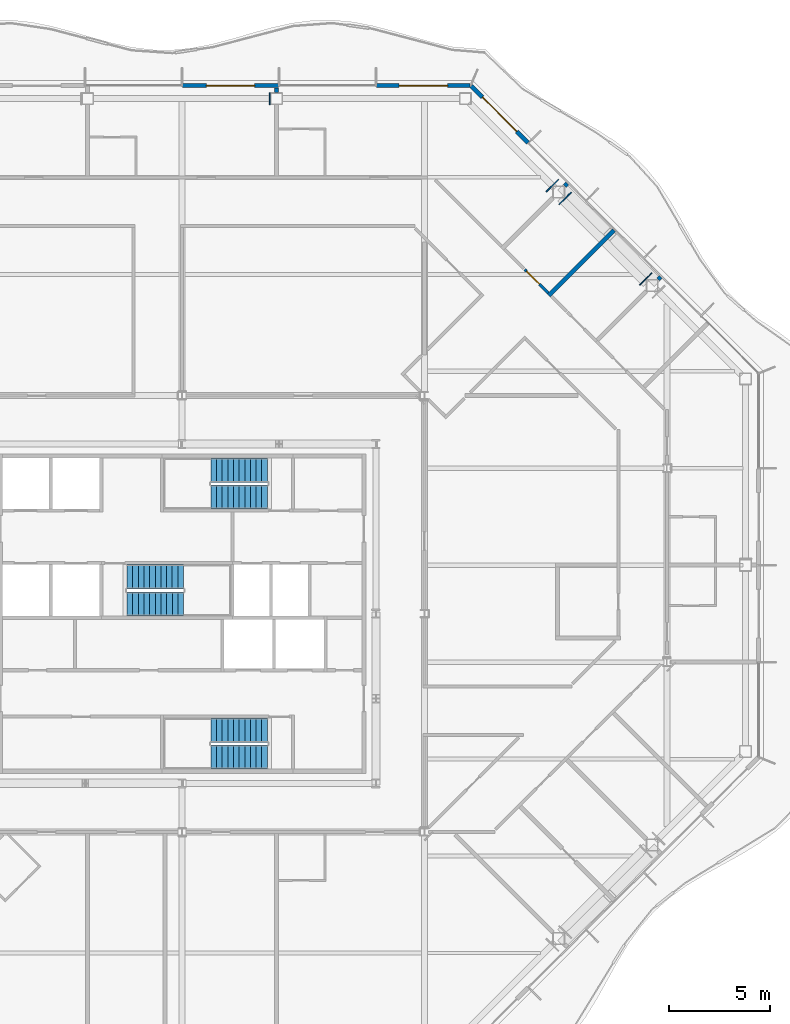
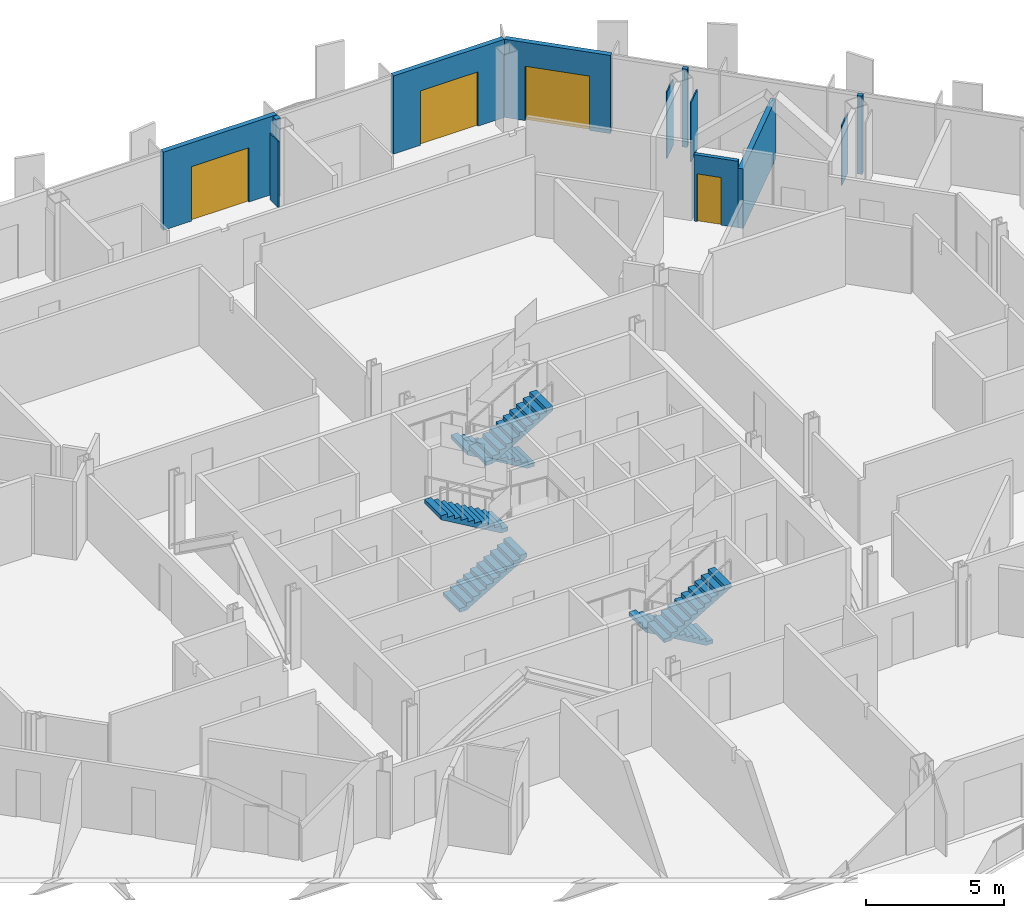
# One storey, part 14 of 21: 12 walls, 6 stair flights, 4 doors, 4 openings, 3 elements without a shape of their own.
"""IFC4 building model written with IfcOpenShell, lengths in metres."""

from ifc_helpers import new_model, si_unit, direction, frame, frame_2d, origin, place, context, subcontext, project, spatial, polyline, rectangle, outline, extrude, material, layer, layer_set, type_object, element, fill, aggregate, save


model = new_model("IFC4")

# Units and contexts
model_context = context("Model", 3, precision=1e-05, world=origin(), true_north=direction((0.0, 1.0)))
body_context = subcontext(model_context, "Body", "Model", "MODEL_VIEW")
ifc_project = project(units=[si_unit("LENGTHUNIT", "METRE"), si_unit("AREAUNIT", "SQUARE_METRE"), si_unit("VOLUMEUNIT", "CUBIC_METRE"), si_unit("PLANEANGLEUNIT", "RADIAN"), si_unit("MASSUNIT", "GRAM", prefix="KILO")], contexts=[model_context])

# Site, building, storey
site_placement = place(None, origin())
site = spatial("IfcSite", under=ifc_project, at=site_placement, CompositionType="ELEMENT")
building_placement = place(site_placement, origin())
building = spatial("IfcBuilding", under=site, at=building_placement, Name="Cairn Pilgrim Tower", CompositionType="ELEMENT")
storey_placement = place(building_placement, frame((0.0, 0.0, 168.60009765625)))
storey = spatial("IfcBuildingStorey", under=building, at=storey_placement, Name="L42", CompositionType="ELEMENT", Elevation=168.60009765625)

# Wall, opening, door
ifc_material_1 = material(Name="Bronze anodised aluminium insulated sandwich panel with mineral wool fill", Category="aluminium")
ifc_layer_1 = layer(ifc_material_1, 0.199951171875)
ifc_layer_set_1 = layer_set([ifc_layer_1], Name="BRONZE INFILL FRAME WALL 200")
wall_type_1 = type_object("IfcWallType", Name="BRONZE INFILL FRAME WALL 200", PredefinedType="NOTDEFINED", material=ifc_layer_set_1)
wall_1_placement = place(storey_placement, frame((24.325927734375, 25.720458984375, 0.0), z_axis=(0.0, 0.0, 1.0), x_axis=(-0.707106781187, 0.707106781187, 0.0)))
wall_1 = element("IfcWall", 1, at=wall_1_placement, inside=storey, type_object=wall_type_1, Name="Bronze infill frame wall IW-NE5", PredefinedType="NOTDEFINED", context=body_context, shape_type="SweptSolid", body=[
    extrude(rectangle(XDim=3.961669921875, YDim=0.199951171875, at=frame_2d((1.98095703125, 0.0))), origin(), (0.0, 0.0, 1.0), 3.449951171875),
])
opening_1_placement = place(wall_1_placement, frame((0.78564453125, 0.0, 0.0)))
opening_1 = element("IfcOpeningElement", 2, at=opening_1_placement, cuts=wall_1, Name="Opening 4212B", PredefinedType="OPENING", context=body_context, shape_type="SweptSolid", body=[
    extrude(rectangle(XDim=2.39990234375, YDim=2.39990234375, at=frame_2d((1.199951171875, 1.199951171875))), frame((0.0, 0.10986328125, 0.0), z_axis=(0.0, -1.0, 0.0), x_axis=(1.0, 0.0, 0.0)), (0.0, 0.0, 1.0), 0.219970703125),
])
ifc_material_2 = material(Name="Bronze anodised aluminium frame with tinted low-E glass", Category="aluminium")
door_type_1 = type_object("IfcDoorType", Name="BALCONY SLIDING DOOR 2400x2400", OperationType="DOUBLE_DOOR_SLIDING", PredefinedType="DOOR", material=ifc_material_2)
door_1_placement = place(opening_1_placement, origin())
door_1 = element("IfcDoor", 3, at=door_1_placement, inside=storey, type_object=door_type_1, Name="Balcony sliding door 4212B", OperationType="SINGLE_SWING_LEFT", OverallHeight=2.39990234375, OverallWidth=2.39990234375, PredefinedType="DOOR", context=body_context, shape_type="SweptSolid", body=[
    extrude(rectangle(XDim=2.39990234375, YDim=2.39990234375, at=frame_2d((1.199951171875, 1.199951171875))), frame((0.0, 0.02490234375, 0.0), z_axis=(0.0, -1.0, 0.0), x_axis=(1.0, 0.0, 0.0)), (0.0, 0.0, 1.0), 0.050048828125),
])
fill(opening_1, door_1)

wall_2_placement = place(storey_placement, frame((21.45654296875, 28.550048828125, 0.0), z_axis=(0.0, 0.0, 1.0), x_axis=(-1.0, 0.0, 0.0)))
wall_2 = element("IfcWall", 4, at=wall_2_placement, inside=storey, type_object=wall_type_1, Name="Bronze infill frame wall IW-N1", PredefinedType="NOTDEFINED", context=body_context, shape_type="SweptSolid", body=[
    extrude(rectangle(XDim=4.62646484375, YDim=0.199951171875, at=frame_2d((2.313232421875, 0.0))), origin(), (0.0, 0.0, 1.0), 3.449951171875),
])
opening_2_placement = place(wall_2_placement, frame((1.1083984375, 0.0, 0.0)))
opening_2 = element("IfcOpeningElement", 5, at=opening_2_placement, cuts=wall_2, Name="Opening 4212B2", PredefinedType="OPENING", context=body_context, shape_type="SweptSolid", body=[
    extrude(rectangle(XDim=2.39990234375, YDim=2.39990234375, at=frame_2d((1.199951171875, 1.199951171875))), frame((0.0, 0.10986328125, 0.0), z_axis=(0.0, -1.0, 0.0), x_axis=(1.0, 0.0, 0.0)), (0.0, 0.0, 1.0), 0.219970703125),
])
door_2_placement = place(opening_2_placement, origin())
door_2 = element("IfcDoor", 6, at=door_2_placement, inside=storey, type_object=door_type_1, Name="Balcony sliding door 4212B2", OperationType="SINGLE_SWING_LEFT", OverallHeight=2.39990234375, OverallWidth=2.39990234375, PredefinedType="DOOR", context=body_context, shape_type="SweptSolid", body=[
    extrude(rectangle(XDim=2.39990234375, YDim=2.39990234375, at=frame_2d((1.199951171875, 1.199951171875))), frame((0.0, 0.02490234375, 0.0), z_axis=(0.0, -1.0, 0.0), x_axis=(1.0, 0.0, 0.0)), (0.0, 0.0, 1.0), 0.050048828125),
])
fill(opening_2, door_2)

wall_3_placement = place(storey_placement, frame((11.969970703125, 28.550048828125, 0.0), z_axis=(0.0, 0.0, 1.0), x_axis=(-1.0, 0.0, 0.0)))
wall_3 = element("IfcWall", 7, at=wall_3_placement, inside=storey, type_object=wall_type_1, Name="Bronze infill frame wall IW-N3", PredefinedType="NOTDEFINED", context=body_context, shape_type="SweptSolid", body=[
    extrude(rectangle(XDim=4.739990234375, YDim=0.199951171875, at=frame_2d((2.3701171875, 0.0))), origin(), (0.0, 0.0, 1.0), 3.449951171875),
])
opening_3_placement = place(wall_3_placement, frame((1.17041015625, 0.0, 0.0)))
opening_3 = element("IfcOpeningElement", 8, at=opening_3_placement, cuts=wall_3, Name="Opening 4213B", PredefinedType="OPENING", context=body_context, shape_type="SweptSolid", body=[
    extrude(rectangle(XDim=2.39990234375, YDim=2.39990234375, at=frame_2d((1.199951171875, 1.199951171875))), frame((0.0, 0.10986328125, 0.0), z_axis=(0.0, -1.0, 0.0), x_axis=(1.0, 0.0, 0.0)), (0.0, 0.0, 1.0), 0.219970703125),
])
door_3_placement = place(opening_3_placement, origin())
door_3 = element("IfcDoor", 9, at=door_3_placement, inside=storey, type_object=door_type_1, Name="Balcony sliding door 4213B", OperationType="SINGLE_SWING_LEFT", OverallHeight=2.39990234375, OverallWidth=2.39990234375, PredefinedType="DOOR", context=body_context, shape_type="SweptSolid", body=[
    extrude(rectangle(XDim=2.39990234375, YDim=2.39990234375, at=frame_2d((1.199951171875, 1.199951171875))), frame((0.0, 0.02490234375, 0.0), z_axis=(0.0, -1.0, 0.0), x_axis=(1.0, 0.0, 0.0)), (0.0, 0.0, 1.0), 0.050048828125),
])
fill(opening_3, door_3)

ifc_material_3 = material(Name="Gypsum partition")
ifc_layer_2 = layer(ifc_material_3, 0.14990234375)
ifc_layer_set_2 = layer_set([ifc_layer_2], Name="PARTITION 150 DRYWALL EI 60")
wall_type_2 = type_object("IfcWallType", Name="PARTITION 150 DRYWALL EI 60", PredefinedType="PARTITIONING", material=ifc_layer_set_2)
wall_4_placement = place(storey_placement, frame((25.335205078125, 18.276611328125, 0.0), z_axis=(0.0, 0.0, 1.0), x_axis=(-0.707254881879, 0.706958649468, 0.0)))
wall_4 = element("IfcWall", 10, at=wall_4_placement, inside=storey, type_object=wall_type_2, Name="PARTITION W105", PredefinedType="PARTITIONING", context=body_context, shape_type="SweptSolid", body=[
    extrude(rectangle(XDim=1.648193359375, YDim=0.14990234375, at=frame_2d((0.82421875, 0.0))), origin(), (0.0, 0.0, 1.0), 2.929931640625),
])
opening_4_placement = place(wall_4_placement, frame((0.624267578125, 0.0, 0.0)))
opening_4 = element("IfcOpeningElement", 11, at=opening_4_placement, cuts=wall_4, Name="Opening 4211", PredefinedType="OPENING", context=body_context, shape_type="SweptSolid", body=[
    extrude(rectangle(XDim=0.89990234375, YDim=2.10009765625, at=frame_2d((0.449951171875, 1.050048828125))), frame((0.0, 0.0849609375, 0.0), z_axis=(0.0, -1.0, 0.0), x_axis=(1.0, 0.0, 0.0)), (0.0, 0.0, 1.0), 0.169921875),
])
ifc_material_4 = material(Name="Timber door leaf", Category="wood")
door_type_2 = type_object("IfcDoorType", Name="SERVICE DOOR 900x2100 FD30S", OperationType="NOTDEFINED", PredefinedType="DOOR", material=ifc_material_4)
door_4_placement = place(opening_4_placement, frame((0.89990234375, 0.0, 0.0), z_axis=(0.0, 0.0, 1.0), x_axis=(-1.0, 0.0, 0.0)))
door_4 = element("IfcDoor", 12, at=door_4_placement, inside=storey, type_object=door_type_2, Name="DOOR 4211", OperationType="SINGLE_SWING_LEFT", OverallHeight=2.10009765625, OverallWidth=0.89990234375, PredefinedType="DOOR", context=body_context, shape_type="SweptSolid", body=[
    extrude(rectangle(XDim=0.89990234375, YDim=2.10009765625, at=frame_2d((0.449951171875, 1.050048828125))), frame((0.0, 0.02490234375, 0.0), z_axis=(0.0, -1.0, 0.0), x_axis=(1.0, 0.0, 0.0)), (0.0, 0.0, 1.0), 0.050048828125),
])
fill(opening_4, door_4)

# Walls
ifc_layer_3 = layer(ifc_material_3, 0.050048828125)
ifc_layer_set_3 = layer_set([ifc_layer_3], Name="PARTITION 50 DRYWALL EI 60")
wall_type_3 = type_object("IfcWallType", Name="PARTITION 50 DRYWALL EI 60", PredefinedType="PARTITIONING", material=ifc_layer_set_3)
wall_5_placement = place(storey_placement, frame((29.85791015625, 18.669189453125, 0.0), z_axis=(0.0, 0.0, 1.0), x_axis=(0.707106781187, 0.707106781187, 0.0)))
element("IfcWall", 13, at=wall_5_placement, inside=storey, type_object=wall_type_3, Name="COLUMN CASING WC33", PredefinedType="PARTITIONING", context=body_context, shape_type="SweptSolid", body=[
    extrude(rectangle(XDim=0.8486328125, YDim=0.050048828125, at=frame_2d((0.42431640625, 0.0))), origin(), (0.0, 0.0, 1.0), 2.6298828125),
])
wall_6_placement = place(storey_placement, frame((25.23388671875, 23.29345703125, 0.0), z_axis=(0.0, 0.0, 1.0), x_axis=(0.707106781187, 0.707106781187, 0.0)))
element("IfcWall", 14, at=wall_6_placement, inside=storey, type_object=wall_type_3, Name="COLUMN CASING WC38", PredefinedType="PARTITIONING", context=body_context, shape_type="SweptSolid", body=[
    extrude(rectangle(XDim=0.848388671875, YDim=0.050048828125, at=frame_2d((0.42431640625, 0.0))), origin(), (0.0, 0.0, 1.0), 2.929931640625),
])
wall_7_placement = place(storey_placement, frame((25.869140625, 22.657958984375, 0.0), z_axis=(0.0, 0.0, 1.0), x_axis=(0.707106781187, 0.707106781187, 0.0)))
element("IfcWall", 15, at=wall_7_placement, inside=storey, type_object=wall_type_3, Name="COLUMN CASING WC39", PredefinedType="PARTITIONING", context=body_context, shape_type="SweptSolid", body=[
    extrude(rectangle(XDim=0.8486328125, YDim=0.050048828125, at=frame_2d((0.42431640625, 0.0))), origin(), (0.0, 0.0, 1.0), 2.6298828125),
])
wall_8_placement = place(storey_placement, frame((11.55078125, 27.60009765625, 0.0), z_axis=(0.0, 0.0, 1.0), x_axis=(0.0, 1.0, 0.0)))
element("IfcWall", 16, at=wall_8_placement, inside=storey, type_object=wall_type_3, Name="COLUMN CASING WC41", PredefinedType="PARTITIONING", context=body_context, shape_type="SweptSolid", body=[
    extrude(rectangle(XDim=0.599853515625, YDim=0.050048828125, at=frame_2d((0.2998046875, 0.0))), origin(), (0.0, 0.0, 1.0), 2.929931640625),
])
ifc_layer_4 = layer(ifc_material_3, 0.199951171875)
ifc_layer_set_4 = layer_set([ifc_layer_4], Name="SHAFT WALL 200 GYPSUM EI 60")
wall_type_4 = type_object("IfcWallType", Name="SHAFT WALL 200 GYPSUM EI 60", PredefinedType="PARTITIONING", material=ifc_layer_set_4)
wall_9_placement = place(storey_placement, frame((25.35302734375, 18.153076171875, 0.0), z_axis=(0.0, 0.0, 1.0), x_axis=(0.707106781187, 0.707106781187, 0.0)))
element("IfcWall", 17, at=wall_9_placement, inside=storey, type_object=wall_type_4, Name="PARTITION W104", PredefinedType="PARTITIONING", context=body_context, shape_type="SweptSolid", body=[
    extrude(rectangle(XDim=4.564697265625, YDim=0.199951171875, at=frame_2d((2.2822265625, 0.0))), origin(), (0.0, 0.0, 1.0), 2.6298828125),
])
for number, where, z_axis, x_axis, name in (
    (18, (30.775634765625, 18.95166015625, 0.0), (0.0, 0.0, 1.0), (0.707106781187, 0.707106781187, 0.0), "PARTITION W107"),
    (19, (26.151611328125, 23.57568359375, 0.0), (0.0, 0.0, 1.0), (0.707106781187, 0.707106781187, 0.0), "PARTITION W119"),
):
    element("IfcWall", number, at=place(storey_placement, frame(where, z_axis=z_axis, x_axis=x_axis)), inside=storey, type_object=wall_type_4, Name=name, PredefinedType="PARTITIONING", context=body_context, shape_type="SweptSolid", body=[
        extrude(rectangle(XDim=0.165771484375, YDim=0.199951171875, at=frame_2d((0.0830078125, 0.0))), origin(), (0.0, 0.0, 1.0), 3.449951171875),
    ])
wall_10_placement = place(storey_placement, frame((11.8759765625, 28.199951171875, 0.0), z_axis=(0.0, 0.0, 1.0), x_axis=(0.0, 1.0, 0.0)))
element("IfcWall", 20, at=wall_10_placement, inside=storey, type_object=wall_type_4, Name="PARTITION W131", PredefinedType="PARTITIONING", context=body_context, shape_type="SweptSolid", body=[
    extrude(rectangle(XDim=0.219970703125, YDim=0.199951171875, at=frame_2d((0.10986328125, 0.0))), origin(), (0.0, 0.0, 1.0), 3.449951171875),
])

# Stair, stair flights
ifc_material_5 = material(Name="Concrete C32/40", Category="concrete")
stair_type = type_object("IfcStairType", Name="EXIT STAIR 1200", PredefinedType="HALF_TURN_STAIR", material=ifc_material_5)
stair_1_placement = place(storey_placement, origin())
stair_1 = element("IfcStair", 21, at=stair_1_placement, inside=storey, type_object=stair_type, Name="L42 Exit Stair A", PredefinedType="HALF_TURN_STAIR")
stair_flight_type = type_object("IfcStairFlightType", Name="STAIR FLIGHT 1200", PredefinedType="STRAIGHT", material=ifc_material_5)
stair_flight_1_placement = place(storey_placement, frame((11.425048828125, -3.375, 0.0), z_axis=(0.0, 0.0, 1.0), x_axis=(-1.0, 0.0, 0.0)))
stair_flight_1 = element("IfcStairFlight", 22, at=stair_flight_1_placement, type_object=stair_flight_type, Name="ST-A flight 1", NumberOfRisers=11, NumberOfTreads=10, PredefinedType="STRAIGHT", RiserHeight=0.163636364, TreadLength=0.28, context=body_context, shape_type="SweptSolid", body=[
    extrude(outline(polyline([(0.0, 0.0), (0.0, 0.16357421875), (0.280029296875, 0.16357421875), (0.280029296875, 0.327392578125), (0.56005859375, 0.327392578125), (0.56005859375, 0.490966796875), (0.840087890625, 0.490966796875), (0.840087890625, 0.654541015625), (1.1201171875, 0.654541015625), (1.1201171875, 0.818115234375), (1.39990234375, 0.818115234375), (1.39990234375, 0.98193359375), (1.679931640625, 0.98193359375), (1.679931640625, 1.1455078125), (1.9599609375, 1.1455078125), (1.9599609375, 1.30908203125), (2.239990234375, 1.30908203125), (2.239990234375, 1.47265625), (2.52001953125, 1.47265625), (2.52001953125, 1.636474609375), (2.800048828125, 1.636474609375), (2.800048828125, 1.800048828125), (2.800048828125, 1.462646484375), (0.297119140625, 0.0), (0.0, 0.0)])), frame((0.0, 0.60009765625, 0.0), z_axis=(0.0, -1.0, 0.0), x_axis=(1.0, 0.0, 0.0)), (0.0, 0.0, 1.0), 1.199951171875),
])
stair_flight_2_placement = place(storey_placement, frame((8.625, -4.699951171875, 1.7998046875), z_axis=(0.0, 0.0, 1.0), x_axis=(1.0, 0.0, 0.0)))
stair_flight_2 = element("IfcStairFlight", 23, at=stair_flight_2_placement, type_object=stair_flight_type, Name="ST-A flight 2", NumberOfRisers=11, NumberOfTreads=10, PredefinedType="STRAIGHT", RiserHeight=0.163636364, TreadLength=0.28, context=body_context, shape_type="SweptSolid", body=[
    extrude(outline(polyline([(0.0, 0.0), (0.0, 0.16357421875), (0.280029296875, 0.16357421875), (0.280029296875, 0.327392578125), (0.56005859375, 0.327392578125), (0.56005859375, 0.490966796875), (0.840087890625, 0.490966796875), (0.840087890625, 0.654541015625), (1.1201171875, 0.654541015625), (1.1201171875, 0.818115234375), (1.39990234375, 0.818115234375), (1.39990234375, 0.98193359375), (1.679931640625, 0.98193359375), (1.679931640625, 1.1455078125), (1.9599609375, 1.1455078125), (1.9599609375, 1.30908203125), (2.239990234375, 1.30908203125), (2.239990234375, 1.47265625), (2.52001953125, 1.47265625), (2.52001953125, 1.636474609375), (2.800048828125, 1.636474609375), (2.800048828125, 1.800048828125), (2.800048828125, 1.462646484375), (0.297119140625, 0.0), (0.0, 0.0)])), frame((0.0, 0.60009765625, 0.0), z_axis=(0.0, -1.0, 0.0), x_axis=(1.0, 0.0, 0.0)), (0.0, 0.0, 1.0), 1.199951171875),
])
aggregate(stair_1, [stair_flight_1, stair_flight_2])

stair_2_placement = place(storey_placement, origin())
stair_2 = element("IfcStair", 24, at=stair_2_placement, inside=storey, type_object=stair_type, Name="L42 Exit Stair B", PredefinedType="HALF_TURN_STAIR")
stair_flight_3_placement = place(storey_placement, frame((4.47509765625, 2.875, 0.0), z_axis=(0.0, 0.0, 1.0), x_axis=(1.0, 0.0, 0.0)))
stair_flight_3 = element("IfcStairFlight", 25, at=stair_flight_3_placement, type_object=stair_flight_type, Name="ST-B flight 1", NumberOfRisers=11, NumberOfTreads=10, PredefinedType="STRAIGHT", RiserHeight=0.163636364, TreadLength=0.28, context=body_context, shape_type="SweptSolid", body=[
    extrude(outline(polyline([(0.0, 0.0), (0.0, 0.16357421875), (0.280029296875, 0.16357421875), (0.280029296875, 0.327392578125), (0.56005859375, 0.327392578125), (0.56005859375, 0.490966796875), (0.840087890625, 0.490966796875), (0.840087890625, 0.654541015625), (1.1201171875, 0.654541015625), (1.1201171875, 0.818115234375), (1.39990234375, 0.818115234375), (1.39990234375, 0.98193359375), (1.679931640625, 0.98193359375), (1.679931640625, 1.1455078125), (1.9599609375, 1.1455078125), (1.9599609375, 1.30908203125), (2.239990234375, 1.30908203125), (2.239990234375, 1.47265625), (2.52001953125, 1.47265625), (2.52001953125, 1.636474609375), (2.800048828125, 1.636474609375), (2.800048828125, 1.800048828125), (2.800048828125, 1.462646484375), (0.297119140625, 0.0), (0.0, 0.0)])), frame((0.0, 0.60009765625, 0.0), z_axis=(0.0, -1.0, 0.0), x_axis=(1.0, 0.0, 0.0)), (0.0, 0.0, 1.0), 1.199951171875),
])
stair_flight_4_placement = place(storey_placement, frame((7.27490234375, 4.22509765625, 1.7998046875), z_axis=(0.0, 0.0, 1.0), x_axis=(-1.0, 0.0, 0.0)))
stair_flight_4 = element("IfcStairFlight", 26, at=stair_flight_4_placement, type_object=stair_flight_type, Name="ST-B flight 2", NumberOfRisers=11, NumberOfTreads=10, PredefinedType="STRAIGHT", RiserHeight=0.163636364, TreadLength=0.28, context=body_context, shape_type="SweptSolid", body=[
    extrude(outline(polyline([(0.0, 0.0), (0.0, 0.16357421875), (0.280029296875, 0.16357421875), (0.280029296875, 0.327392578125), (0.56005859375, 0.327392578125), (0.56005859375, 0.490966796875), (0.840087890625, 0.490966796875), (0.840087890625, 0.654541015625), (1.1201171875, 0.654541015625), (1.1201171875, 0.818115234375), (1.39990234375, 0.818115234375), (1.39990234375, 0.98193359375), (1.679931640625, 0.98193359375), (1.679931640625, 1.1455078125), (1.9599609375, 1.1455078125), (1.9599609375, 1.30908203125), (2.239990234375, 1.30908203125), (2.239990234375, 1.47265625), (2.52001953125, 1.47265625), (2.52001953125, 1.636474609375), (2.800048828125, 1.636474609375), (2.800048828125, 1.800048828125), (2.800048828125, 1.462646484375), (0.297119140625, 0.0), (0.0, 0.0)])), frame((0.0, 0.60009765625, 0.0), z_axis=(0.0, -1.0, 0.0), x_axis=(1.0, 0.0, 0.0)), (0.0, 0.0, 1.0), 1.199951171875),
])
aggregate(stair_2, [stair_flight_3, stair_flight_4])

stair_3_placement = place(storey_placement, origin())
stair_3 = element("IfcStair", 27, at=stair_3_placement, inside=storey, type_object=stair_type, Name="L42 Exit Stair C", PredefinedType="HALF_TURN_STAIR")
stair_flight_5_placement = place(storey_placement, frame((11.425048828125, 9.5, 0.0), z_axis=(0.0, 0.0, 1.0), x_axis=(-1.0, 0.0, 0.0)))
stair_flight_5 = element("IfcStairFlight", 28, at=stair_flight_5_placement, type_object=stair_flight_type, Name="ST-C flight 1", NumberOfRisers=11, NumberOfTreads=10, PredefinedType="STRAIGHT", RiserHeight=0.163636364, TreadLength=0.28, context=body_context, shape_type="SweptSolid", body=[
    extrude(outline(polyline([(0.0, 0.0), (0.0, 0.16357421875), (0.280029296875, 0.16357421875), (0.280029296875, 0.327392578125), (0.56005859375, 0.327392578125), (0.56005859375, 0.490966796875), (0.840087890625, 0.490966796875), (0.840087890625, 0.654541015625), (1.1201171875, 0.654541015625), (1.1201171875, 0.818115234375), (1.39990234375, 0.818115234375), (1.39990234375, 0.98193359375), (1.679931640625, 0.98193359375), (1.679931640625, 1.1455078125), (1.9599609375, 1.1455078125), (1.9599609375, 1.30908203125), (2.239990234375, 1.30908203125), (2.239990234375, 1.47265625), (2.52001953125, 1.47265625), (2.52001953125, 1.636474609375), (2.800048828125, 1.636474609375), (2.800048828125, 1.800048828125), (2.800048828125, 1.462646484375), (0.297119140625, 0.0), (0.0, 0.0)])), frame((0.0, 0.60009765625, 0.0), z_axis=(0.0, -1.0, 0.0), x_axis=(1.0, 0.0, 0.0)), (0.0, 0.0, 1.0), 1.199951171875),
])
stair_flight_6_placement = place(storey_placement, frame((8.625, 8.175048828125, 1.7998046875), z_axis=(0.0, 0.0, 1.0), x_axis=(1.0, 0.0, 0.0)))
stair_flight_6 = element("IfcStairFlight", 29, at=stair_flight_6_placement, type_object=stair_flight_type, Name="ST-C flight 2", NumberOfRisers=11, NumberOfTreads=10, PredefinedType="STRAIGHT", RiserHeight=0.163636364, TreadLength=0.28, context=body_context, shape_type="SweptSolid", body=[
    extrude(outline(polyline([(0.0, 0.0), (0.0, 0.16357421875), (0.280029296875, 0.16357421875), (0.280029296875, 0.327392578125), (0.56005859375, 0.327392578125), (0.56005859375, 0.490966796875), (0.840087890625, 0.490966796875), (0.840087890625, 0.654541015625), (1.1201171875, 0.654541015625), (1.1201171875, 0.818115234375), (1.39990234375, 0.818115234375), (1.39990234375, 0.98193359375), (1.679931640625, 0.98193359375), (1.679931640625, 1.1455078125), (1.9599609375, 1.1455078125), (1.9599609375, 1.30908203125), (2.239990234375, 1.30908203125), (2.239990234375, 1.47265625), (2.52001953125, 1.47265625), (2.52001953125, 1.636474609375), (2.800048828125, 1.636474609375), (2.800048828125, 1.800048828125), (2.800048828125, 1.462646484375), (0.297119140625, 0.0), (0.0, 0.0)])), frame((0.0, 0.60009765625, 0.0), z_axis=(0.0, -1.0, 0.0), x_axis=(1.0, 0.0, 0.0)), (0.0, 0.0, 1.0), 1.199951171875),
])
aggregate(stair_3, [stair_flight_5, stair_flight_6])

save(model, "model.ifc")
